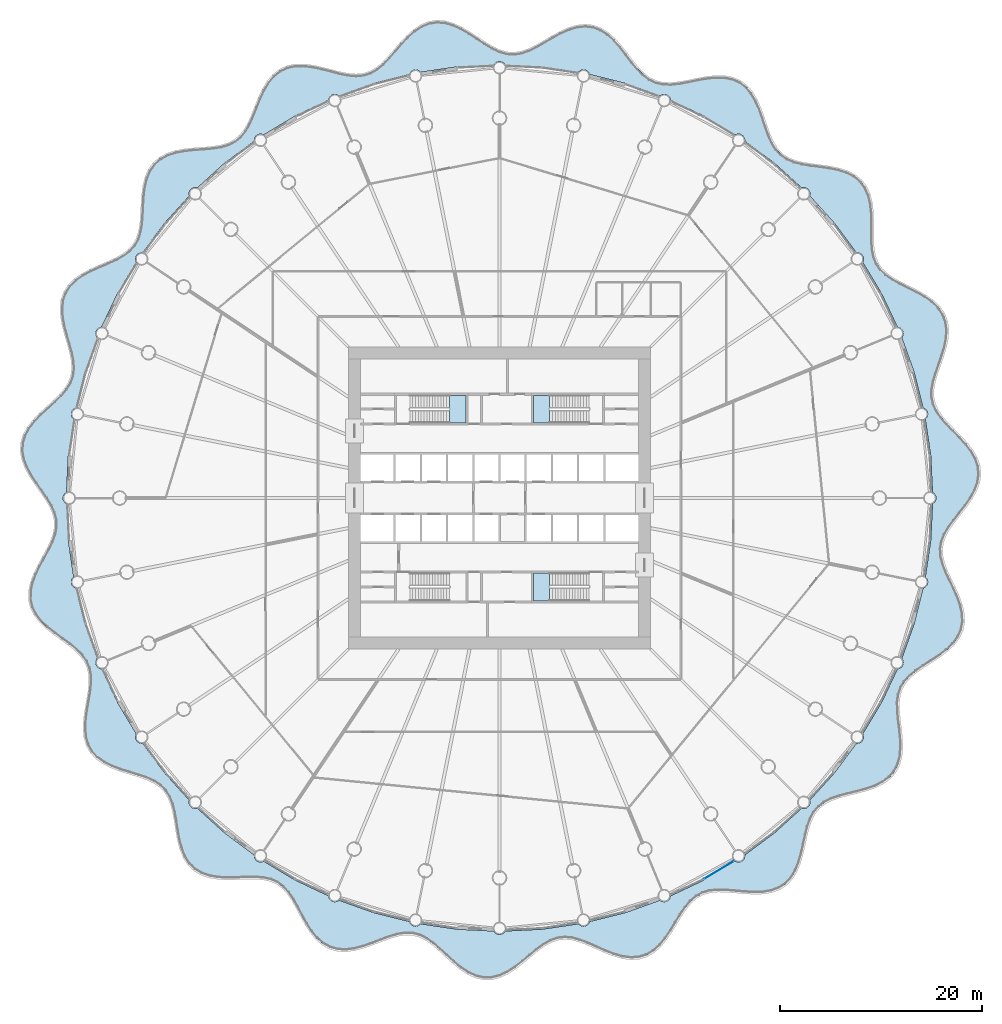
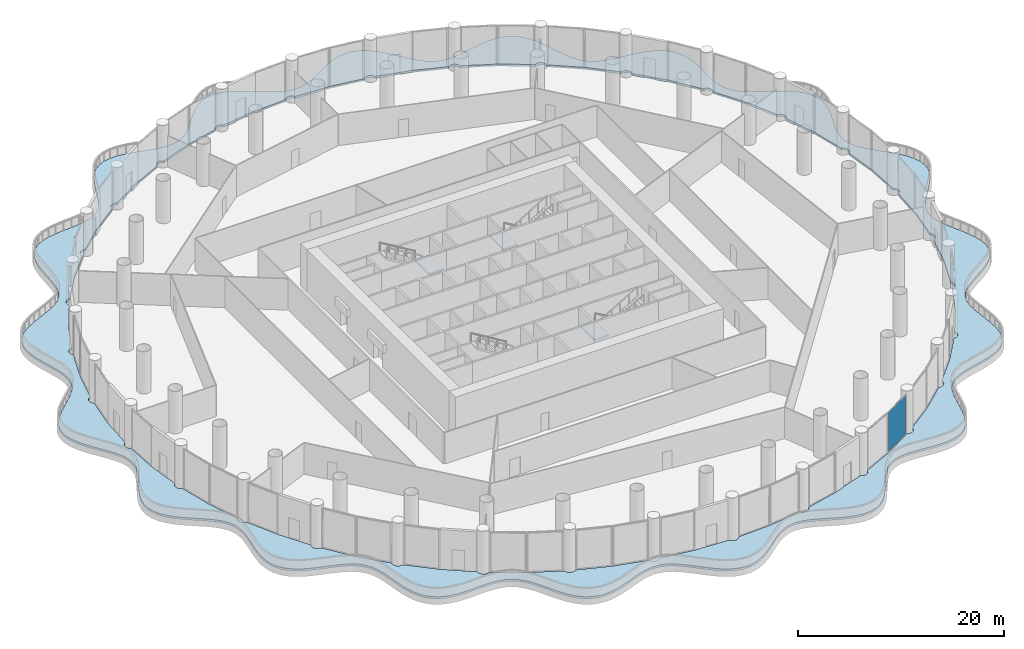
# One storey, part 21 of 38: 4 slabs, 1 plate, 4 elements without a shape of their own.
"""IFC4 building model written with IfcOpenShell, lengths in metres."""

from ifc_helpers import new_model, si_unit, direction, frame, origin, origin_2d, place, context, subcontext, project, spatial, polyline, rectangle, outline, extrude, material, layer, layer_set, type_object, element, aggregate, save


model = new_model("IFC4")

# Units and contexts
model_context = context("Model", 3, precision=1e-05, world=origin(), true_north=direction((0.0, 1.0)))
body_context = subcontext(model_context, "Body", "Model", "MODEL_VIEW")
ifc_project = project(units=[si_unit("LENGTHUNIT", "METRE"), si_unit("AREAUNIT", "SQUARE_METRE"), si_unit("VOLUMEUNIT", "CUBIC_METRE"), si_unit("PLANEANGLEUNIT", "RADIAN"), si_unit("MASSUNIT", "GRAM", prefix="KILO")], contexts=[model_context])

# Site, building, storey
site_placement = place(None, origin())
site = spatial("IfcSite", under=ifc_project, at=site_placement, CompositionType="ELEMENT")
building_placement = place(site_placement, origin())
building = spatial("IfcBuilding", under=site, at=building_placement, Name="Corvane Civic Tower", CompositionType="ELEMENT")
storey_placement = place(building_placement, frame((0.0, 0.0, 32.0)))
storey = spatial("IfcBuildingStorey", under=building, at=storey_placement, Name="L06", CompositionType="ELEMENT", Elevation=32.0)

# Curtain wall, plate
ifc_material_1 = material(Name="Aluminium and glass", Category="aluminium")
curtain_wall_type = type_object("IfcCurtainWallType", Name="PODIUM-CW-P-RUN", PredefinedType="NOTDEFINED", material=ifc_material_1)
curtain_wall_placement = place(storey_placement, origin())
curtain_wall = element("IfcCurtainWall", 1, at=curtain_wall_placement, inside=storey, type_object=curtain_wall_type, Name="PODI run L06-drum-14A", PredefinedType="NOTDEFINED")
ifc_material_2 = material(Name="Glass tinted low-e laminated", Category="glass")
ifc_layer_1 = layer(ifc_material_2, 0.031982421875)
ifc_layer_set_1 = layer_set([ifc_layer_1], Name="Glass tinted low-e laminated")
plate_type = type_object("IfcPlateType", Name="PODIUM-CWP-PANEL-IGU32", PredefinedType="CURTAIN_PANEL", material=ifc_layer_set_1)
plate_placement = place(storey_placement, frame((21.776123046875, -36.914794921875, 0.06005859375), z_axis=(0.0, 0.0, 1.0), x_axis=(-0.857719609779, -0.514117759857, 0.0)))
plate = element("IfcPlate", 2, at=plate_placement, type_object=plate_type, Name="CW-P panel 1.1", PredefinedType="CURTAIN_PANEL", context=body_context, shape_type="SweptSolid", body=[
    extrude(rectangle(XDim=3.459716796875, YDim=0.031982421875, at=origin_2d()), origin(), (0.0, 0.0, 1.0), 4.580078125),
])
aggregate(curtain_wall, [plate])

# Slab
ifc_material_3 = material(Name="Concrete C40/50", Category="concrete")
ifc_layer_2 = layer(ifc_material_3, 0.25)
ifc_layer_set_2 = layer_set([ifc_layer_2], Name="Concrete C40/50")
slab_type_1 = type_object("IfcSlabType", Name="PODIUM-SL-RIBBON-250", PredefinedType="FLOOR", material=ifc_layer_set_2)
slab_1_placement = place(storey_placement, frame((0.0, 0.0, -0.25)))
element("IfcSlab", 3, at=slab_1_placement, inside=storey, type_object=slab_type_1, Name="L06 ribbon balcony slab", PredefinedType="FLOOR", context=body_context, shape_type="SweptSolid", body=[
    extrude(outline(polyline([(0.72216796875, 44.134765625), (0.0, 44.341064453125), (-0.731201171875, 44.685302734375), (-1.4775390625, 45.133056640625), (-2.2421875, 45.63916015625), (-3.02490234375, 46.152099609375), (-3.822509765625, 46.617919921875), (-4.627685546875, 46.986328125), (-5.431640625, 47.2158203125), (-6.22412109375, 47.276611328125), (-6.994873046875, 47.155029296875), (-7.735595703125, 46.853271484375), (-8.44091796875, 46.39013671875), (-9.10986328125, 45.798828125), (-9.745849609375, 45.123779296875), (-10.356201171875, 44.415283203125), (-10.952880859375, 43.7265625), (-11.55029296875, 43.106689453125), (-12.1640625, 42.59619140625), (-12.80859375, 42.22412109375), (-13.496337890625, 42.00439453125), (-14.235107421875, 41.935302734375), (-15.027587890625, 41.9990234375), (-15.869384765625, 42.1640625), (-16.75048828125, 42.38818359375), (-17.655029296875, 42.623046875), (-18.562744140625, 42.819091796875), (-19.451171875, 42.929443359375), (-20.29736328125, 42.91552734375), (-21.081787109375, 42.749755859375), (-21.788818359375, 42.41943359375), (-22.409912109375, 41.926025390625), (-22.9443359375, 41.28662109375), (-23.39990234375, 40.530029296875), (-23.792724609375, 39.69580078125), (-24.145263671875, 38.82861328125), (-24.48486328125, 37.974853515625), (-24.84130859375, 37.177734375), (-25.2431640625, 36.47265625), (-25.714599609375, 35.884765625), (-26.27392578125, 35.42626953125), (-26.9296875, 35.095703125), (-27.680908203125, 34.877685546875), (-28.515625, 34.746337890625), (-29.412353515625, 34.66650390625), (-30.341552734375, 34.597900390625), (-31.268798828125, 34.499755859375), (-32.157470703125, 34.334228515625), (-32.972900390625, 34.070068359375), (-33.685546875, 33.685546875), (-34.27490234375, 33.171142578125), (-34.730224609375, 32.528564453125), (-35.054443359375, 31.771484375), (-35.26123046875, 30.92333984375), (-35.376953125, 30.01513671875), (-35.435546875, 29.081298828125), (-35.477783203125, 28.1572265625), (-35.545654296875, 27.275146484375), (-35.678466796875, 26.4609375), (-35.909423828125, 25.732421875), (-36.26220703125, 25.097412109375), (-36.747314453125, 24.5537109375), (-37.361572265625, 24.08935546875), (-38.088134765625, 23.6845703125), (-38.8974609375, 23.314208984375), (-39.75048828125, 22.949951171875), (-40.60205078125, 22.56396484375), (-41.40478515625, 22.13134765625), (-42.11474609375, 21.632568359375), (-42.695068359375, 21.054931640625), (-43.1201171875, 20.394287109375), (-43.377685546875, 19.654052734375), (-43.470947265625, 18.845458984375), (-43.41845703125, 17.984619140625), (-43.251708984375, 17.091796875), (-43.01318359375, 16.18896484375), (-42.75146484375, 15.296630859375), (-42.51708984375, 14.4326171875), (-42.357421875, 13.609619140625), (-42.3115234375, 12.8349609375), (-42.406982421875, 12.10986328125), (-42.656494140625, 11.4296875), (-43.056884765625, 10.78515625), (-43.5888671875, 10.16357421875), (-44.218994140625, 9.55029296875), (-44.902587890625, 8.931640625), (-45.5888671875, 8.295166015625), (-46.224853515625, 7.6318359375), (-46.760986328125, 6.936279296875), (-47.156005859375, 6.208251953125), (-47.381591796875, 5.45068359375), (-47.423583984375, 4.6708984375), (-47.28515625, 3.877197265625), (-46.986083984375, 3.07958984375), (-46.559814453125, 2.287353515625), (-46.0517578125, 1.507568359375), (-45.513916015625, 0.744873046875), (-45.0, 0.0), (-44.560302734375, -0.729248046875), (-44.23681640625, -1.4482421875), (-44.05859375, -2.16455078125), (-44.0400390625, -2.886474609375), (-44.178466796875, -3.622314453125), (-44.454345703125, -4.37841796875), (-44.834716796875, -5.15771484375), (-45.2744140625, -5.96044921875), (-45.721923828125, -6.7822265625), (-46.1240234375, -7.615234375), (-46.43115234375, -8.448486328125), (-46.601318359375, -9.26953125), (-46.60595703125, -10.06591796875), (-46.430419921875, -10.826171875), (-46.07763671875, -11.541748046875), (-45.5654296875, -12.209228515625), (-44.926513671875, -12.829345703125), (-44.2041015625, -13.4091796875), (-43.4482421875, -13.960205078125), (-42.710205078125, -14.498046875), (-42.038330078125, -15.04150390625), (-41.472412109375, -15.609130859375), (-41.040771484375, -16.218017578125), (-40.75732421875, -16.88232421875), (-40.6201171875, -17.609375), (-40.612060546875, -18.401123046875), (-40.70263671875, -19.2509765625), (-40.8515625, -20.145751953125), (-41.01171875, -21.06591796875), (-41.13525390625, -21.9873046875), (-41.17724609375, -22.8837890625), (-41.1005859375, -23.7294921875), (-40.87890625, -24.501953125), (-40.49951171875, -25.184326171875), (-39.964599609375, -25.767822265625), (-39.289794921875, -26.25244140625), (-38.5029296875, -26.6484375), (-37.641845703125, -26.973876953125), (-36.7490234375, -27.2548828125), (-35.868408203125, -27.522705078125), (-35.040771484375, -27.810302734375), (-34.299560546875, -28.14892578125), (-33.668701171875, -28.565673828125), (-33.158935546875, -29.07958984375), (-32.769287109375, -29.700439453125), (-32.485107421875, -30.42578125), (-32.281982421875, -31.242431640625), (-32.126708984375, -32.126708984375), (-31.982177734375, -33.04638671875), (-31.810302734375, -33.963623046875), (-31.575927734375, -34.8388671875), (-31.250732421875, -35.634765625), (-30.81494140625, -36.31982421875), (-30.260009765625, -36.871826171875), (-29.587890625, -37.2802734375), (-28.8115234375, -37.5478515625), (-27.952880859375, -37.68994140625), (-27.0400390625, -37.734375), (-26.10498046875, -37.7177734375), (-25.17919921875, -37.683349609375), (-24.291748046875, -37.67529296875), (-23.465576171875, -37.73583984375), (-22.71630859375, -37.89990234375), (-22.050048828125, -38.191650390625), (-21.464111328125, -38.622802734375), (-20.947509765625, -39.18994140625), (-20.48193359375, -39.875), (-20.045166015625, -40.6474609375), (-19.6123046875, -41.466552734375), (-19.158935546875, -42.28466796875), (-18.6640625, -43.052978515625), (-18.111572265625, -43.725341796875), (-17.491943359375, -44.263916015625), (-16.802001953125, -44.641845703125), (-16.04638671875, -44.846435546875), (-15.235107421875, -44.88134765625), (-14.38330078125, -44.76513671875), (-13.508056640625, -44.5302734375), (-12.6279296875, -44.220703125), (-11.75927734375, -43.885986328125), (-10.915771484375, -43.578369140625), (-10.10693359375, -43.345947265625), (-9.336669921875, -43.229248046875), (-8.604248046875, -43.25634765625), (-7.904296875, -43.440673828125), (-7.22802734375, -43.77880859375), (-6.56396484375, -44.251220703125), (-5.901123046875, -44.824462890625), (-5.22900390625, -45.453125), (-4.5390625, -46.085693359375), (-3.82666015625, -46.668701171875), (-3.090576171875, -47.152099609375), (-2.333251953125, -47.494140625), (-1.560302734375, -47.665771484375), (-0.77978515625, -47.653076171875), (0.0, -47.458740234375), (0.770751953125, -47.1025390625), (1.526123046875, -46.617919921875), (2.26220703125, -46.05029296875), (2.97900390625, -45.451416015625), (3.679443359375, -44.875), (4.3701171875, -44.37158203125), (5.059814453125, -43.982666015625), (5.75830078125, -43.738037109375), (6.47509765625, -43.6513671875), (7.21826171875, -43.720703125), (7.99267578125, -43.927001953125), (8.79931640625, -44.2373046875), (9.63427734375, -44.607421875), (10.489501953125, -44.986572265625), (11.3525390625, -45.322265625), (12.209228515625, -45.5654296875), (13.043212890625, -45.67529296875), (13.839599609375, -45.623046875), (14.585693359375, -45.394775390625), (15.27294921875, -44.99267578125), (15.89892578125, -44.434814453125), (16.46728515625, -43.752197265625), (16.9873046875, -42.987548828125), (17.475341796875, -42.18896484375), (17.950439453125, -41.406982421875), (18.435546875, -40.687744140625), (18.9521484375, -40.07080078125), (19.520263671875, -39.5830078125), (20.15478515625, -39.238037109375), (20.8642578125, -39.0341796875), (21.648681640625, -38.955078125), (22.5, -38.97119140625), (23.40185546875, -39.043701171875), (24.33154296875, -39.128173828125), (25.2607421875, -39.17822265625), (26.16015625, -39.1513671875), (27.000244140625, -39.01171875), (27.7568359375, -38.734619140625), (28.411376953125, -38.30810546875), (28.95458984375, -37.734130859375), (29.387451171875, -37.028076171875), (29.7216796875, -36.216064453125), (29.978271484375, -35.33349609375), (30.186279296875, -34.4208984375), (30.38037109375, -33.51953125), (30.59619140625, -32.667236328125), (30.86865234375, -31.895751953125), (31.226806640625, -31.226806640625), (31.69091796875, -30.67041015625), (32.271240234375, -30.225341796875), (32.965087890625, -29.877685546875), (33.757568359375, -29.6044921875), (34.623046875, -29.37548828125), (35.526611328125, -29.156005859375), (36.427734375, -28.9111328125), (37.2841796875, -28.609130859375), (38.05615234375, -28.224365234375), (38.709716796875, -27.739013671875), (39.221923828125, -27.14599609375), (39.581787109375, -26.447509765625), (39.791748046875, -25.65625), (39.86865234375, -24.7919921875), (39.842041015625, -23.88037109375), (39.75048828125, -22.949951171875), (39.639404296875, -22.029052734375), (39.555419921875, -21.142822265625), (39.542724609375, -20.311279296875), (39.6376953125, -19.547119140625), (39.8662109375, -18.855224609375), (40.23974609375, -18.232421875), (40.755126953125, -17.66796875), (41.393798828125, -17.145751953125), (42.123779296875, -16.646240234375), (42.903076171875, -16.1474609375), (43.68212890625, -15.629638671875), (44.4111328125, -15.075439453125), (45.0419921875, -14.47216796875), (45.53564453125, -13.81298828125), (45.864501953125, -13.09716796875), (46.015380859375, -12.329833984375), (45.991943359375, -11.520263671875), (45.81298828125, -10.68212890625), (45.51220703125, -9.82958984375), (45.133544921875, -8.9775390625), (44.728271484375, -8.138671875), (44.34912109375, -7.322021484375), (44.04541015625, -6.533447265625), (43.858642578125, -5.774169921875), (43.817138671875, -5.040771484375), (43.934326171875, -4.3271484375), (44.207763671875, -3.624755859375), (44.617431640625, -2.92431640625), (45.129638671875, -2.217041015625), (45.698974609375, -1.49609375), (46.27392578125, -0.75732421875), (46.800048828125, 0.0), (47.227294921875, 0.772705078125), (47.51416015625, 1.555419921875), (47.630859375, 2.33984375), (47.5634765625, 3.117431640625), (47.314697265625, 3.879638671875), (46.903564453125, 4.61962890625), (46.36376953125, 5.333740234375), (45.740234375, 6.021728515625), (45.08447265625, 6.687744140625), (44.44970703125, 7.338623046875), (43.885986328125, 7.9853515625), (43.434814453125, 8.6396484375), (43.125, 9.314208984375), (42.971435546875, 10.01953125), (42.97119140625, 10.763671875), (43.106689453125, 11.55029296875), (43.344970703125, 12.377685546875), (43.64306640625, 13.239013671875), (43.951171875, 14.121826171875), (44.218017578125, 15.010009765625), (44.3955078125, 15.885009765625), (44.44384765625, 16.7275390625), (44.334716796875, 17.519775390625), (44.054931640625, 18.248046875), (43.60595703125, 18.90380859375), (43.00537109375, 19.4853515625), (42.283447265625, 19.99853515625), (41.4814453125, 20.456298828125), (40.645751953125, 20.8779296875), (39.824951171875, 21.286865234375), (39.064208984375, 21.709228515625), (38.400634765625, 22.170654296875), (37.860595703125, 22.69287109375), (37.457275390625, 23.29248046875), (37.1884765625, 23.977783203125), (37.039306640625, 24.748779296875), (36.981201171875, 25.594970703125), (36.9775390625, 26.49755859375), (36.9853515625, 27.43017578125), (36.96142578125, 28.361572265625), (36.864990234375, 29.258056640625), (36.662841796875, 30.08837890625), (36.331298828125, 30.824951171875), (35.85986328125, 31.4482421875), (35.25, 31.94873046875), (34.516357421875, 32.328125), (33.683837890625, 32.59912109375), (32.78564453125, 32.78564453125), (31.859375, 32.91943359375), (30.943359375, 33.0380859375), (30.072998046875, 33.180419921875), (29.277099609375, 33.38427734375), (28.575439453125, 33.68017578125), (27.977294921875, 34.090576171875), (27.480712890625, 34.625244140625), (27.07275390625, 35.281982421875), (26.732421875, 36.04443359375), (26.431396484375, 36.885009765625), (26.138427734375, 37.766357421875), (25.822021484375, 38.6455078125), (25.453857421875, 39.477783203125), (25.010986328125, 40.220947265625), (24.478271484375, 40.839599609375), (23.85009765625, 41.309326171875), (23.12890625, 41.61865234375), (22.326904296875, 41.7705078125), (21.4619140625, 41.782470703125), (20.556884765625, 41.685302734375), (19.637451171875, 41.519775390625), (18.7275390625, 41.332763671875), (17.84912109375, 41.173095703125), (17.018798828125, 41.086669921875), (16.24609375, 41.111572265625), (15.53466796875, 41.2744140625), (14.880126953125, 41.587158203125), (14.27294921875, 42.046875), (13.69873046875, 42.63427734375), (13.139892578125, 43.31689453125), (12.579345703125, 44.05078125), (12.00048828125, 44.785888671875), (11.389892578125, 45.470703125), (10.73876953125, 46.055908203125), (10.04345703125, 46.501708984375), (9.30517578125, 46.77978515625), (8.529541015625, 46.87646484375), (7.725830078125, 46.795166015625), (6.90576171875, 46.55517578125), (6.0810546875, 46.190185546875), (5.2626953125, 45.745361328125), (4.458984375, 45.272216796875), (3.67529296875, 44.82421875), (2.91357421875, 44.451416015625), (2.171142578125, 44.1953125), (1.443115234375, 44.0849609375), (0.72216796875, 44.134765625)]), holes=[polyline([(0.31005859375, -43.23681640625), (0.160400390625, -43.298828125), (0.0, -43.320068359375), (-0.160400390625, -43.298828125), (-0.31005859375, -43.23681640625), (-0.4384765625, -43.138427734375), (-0.536865234375, -43.010009765625), (-0.55224609375, -42.972900390625), (-4.21484375, -42.79296875), (-7.84326171875, -42.2548828125), (-7.891845703125, -42.318115234375), (-8.020263671875, -42.41650390625), (-8.169921875, -42.478515625), (-8.330322265625, -42.49951171875), (-8.49072265625, -42.478515625), (-8.640380859375, -42.41650390625), (-8.768798828125, -42.318115234375), (-8.8671875, -42.189697265625), (-8.92919921875, -42.0400390625), (-8.929443359375, -42.038330078125), (-12.482177734375, -41.1484375), (-15.934814453125, -39.9130859375), (-16.030517578125, -39.986572265625), (-16.18017578125, -40.048583984375), (-16.340576171875, -40.069580078125), (-16.5009765625, -40.048583984375), (-16.650634765625, -39.986572265625), (-16.779052734375, -39.88818359375), (-16.87744140625, -39.759765625), (-16.939453125, -39.610107421875), (-16.955078125, -39.490478515625), (-20.27001953125, -37.922607421875), (-23.41162109375, -36.03955078125), (-23.412841796875, -36.04052734375), (-23.5625, -36.1025390625), (-23.722900390625, -36.123779296875), (-23.88330078125, -36.1025390625), (-24.032958984375, -36.04052734375), (-24.161376953125, -35.942138671875), (-24.259765625, -35.813720703125), (-24.32177734375, -35.6640625), (-24.343017578125, -35.503662109375), (-24.33251953125, -35.424560546875), (-27.27880859375, -33.239501953125), (-29.995849609375, -30.77685546875), (-30.032958984375, -30.792236328125), (-30.193359375, -30.8134765625), (-30.353759765625, -30.792236328125), (-30.50341796875, -30.730224609375), (-30.6318359375, -30.6318359375), (-30.730224609375, -30.50341796875), (-30.792236328125, -30.353759765625), (-30.8134765625, -30.193359375), (-30.792236328125, -30.032958984375), (-30.77685546875, -29.995849609375), (-33.239501953125, -27.27880859375), (-35.424560546875, -24.33251953125), (-35.503662109375, -24.343017578125), (-35.6640625, -24.32177734375), (-35.813720703125, -24.259765625), (-35.942138671875, -24.161376953125), (-36.04052734375, -24.032958984375), (-36.1025390625, -23.88330078125), (-36.123779296875, -23.722900390625), (-36.1025390625, -23.5625), (-36.04052734375, -23.412841796875), (-36.03955078125, -23.41162109375), (-37.922607421875, -20.27001953125), (-39.490478515625, -16.955078125), (-39.610107421875, -16.939453125), (-39.759765625, -16.87744140625), (-39.88818359375, -16.779052734375), (-39.986572265625, -16.650634765625), (-40.048583984375, -16.5009765625), (-40.069580078125, -16.340576171875), (-40.048583984375, -16.18017578125), (-39.986572265625, -16.030517578125), (-39.9130859375, -15.934814453125), (-41.1484375, -12.482177734375), (-42.038330078125, -8.929443359375), (-42.0400390625, -8.92919921875), (-42.189697265625, -8.8671875), (-42.318115234375, -8.768798828125), (-42.41650390625, -8.640380859375), (-42.478515625, -8.49072265625), (-42.49951171875, -8.330322265625), (-42.478515625, -8.169921875), (-42.41650390625, -8.020263671875), (-42.318115234375, -7.891845703125), (-42.2548828125, -7.84326171875), (-42.79296875, -4.21484375), (-42.972900390625, -0.55224609375), (-43.010009765625, -0.536865234375), (-43.138427734375, -0.4384765625), (-43.23681640625, -0.31005859375), (-43.298828125, -0.160400390625), (-43.320068359375, 0.0), (-43.298828125, 0.160400390625), (-43.23681640625, 0.31005859375), (-43.138427734375, 0.4384765625), (-43.010009765625, 0.536865234375), (-42.972900390625, 0.55224609375), (-42.79296875, 4.21484375), (-42.2548828125, 7.84326171875), (-42.318115234375, 7.891845703125), (-42.41650390625, 8.020263671875), (-42.478515625, 8.169921875), (-42.49951171875, 8.330322265625), (-42.478515625, 8.49072265625), (-42.41650390625, 8.640380859375), (-42.318115234375, 8.768798828125), (-42.189697265625, 8.8671875), (-42.0400390625, 8.92919921875), (-42.038330078125, 8.929443359375), (-41.1484375, 12.482177734375), (-39.9130859375, 15.934814453125), (-39.986572265625, 16.030517578125), (-40.048583984375, 16.18017578125), (-40.069580078125, 16.340576171875), (-40.048583984375, 16.5009765625), (-39.986572265625, 16.650634765625), (-39.88818359375, 16.779052734375), (-39.759765625, 16.87744140625), (-39.610107421875, 16.939453125), (-39.490478515625, 16.955078125), (-37.922607421875, 20.27001953125), (-36.03955078125, 23.41162109375), (-36.04052734375, 23.412841796875), (-36.1025390625, 23.5625), (-36.123779296875, 23.722900390625), (-36.1025390625, 23.88330078125), (-36.04052734375, 24.032958984375), (-35.942138671875, 24.161376953125), (-35.813720703125, 24.259765625), (-35.6640625, 24.32177734375), (-35.503662109375, 24.343017578125), (-35.424560546875, 24.33251953125), (-33.239501953125, 27.27880859375), (-30.77685546875, 29.995849609375), (-30.792236328125, 30.032958984375), (-30.8134765625, 30.193359375), (-30.792236328125, 30.353759765625), (-30.730224609375, 30.50341796875), (-30.6318359375, 30.6318359375), (-30.50341796875, 30.730224609375), (-30.353759765625, 30.792236328125), (-30.193359375, 30.8134765625), (-30.032958984375, 30.792236328125), (-29.995849609375, 30.77685546875), (-27.27880859375, 33.239501953125), (-24.33251953125, 35.424560546875), (-24.343017578125, 35.503662109375), (-24.32177734375, 35.6640625), (-24.259765625, 35.813720703125), (-24.161376953125, 35.942138671875), (-24.032958984375, 36.04052734375), (-23.88330078125, 36.1025390625), (-23.722900390625, 36.123779296875), (-23.5625, 36.1025390625), (-23.412841796875, 36.04052734375), (-23.41162109375, 36.03955078125), (-20.27001953125, 37.922607421875), (-16.955078125, 39.490478515625), (-16.939453125, 39.610107421875), (-16.87744140625, 39.759765625), (-16.779052734375, 39.88818359375), (-16.650634765625, 39.986572265625), (-16.5009765625, 40.048583984375), (-16.340576171875, 40.069580078125), (-16.18017578125, 40.048583984375), (-16.030517578125, 39.986572265625), (-15.934814453125, 39.9130859375), (-12.482177734375, 41.1484375), (-8.929443359375, 42.038330078125), (-8.92919921875, 42.0400390625), (-8.8671875, 42.189697265625), (-8.768798828125, 42.318115234375), (-8.640380859375, 42.41650390625), (-8.49072265625, 42.478515625), (-8.330322265625, 42.49951171875), (-8.169921875, 42.478515625), (-8.020263671875, 42.41650390625), (-7.891845703125, 42.318115234375), (-7.84326171875, 42.2548828125), (-4.21484375, 42.79296875), (-0.55224609375, 42.972900390625), (-0.536865234375, 43.010009765625), (-0.4384765625, 43.138427734375), (-0.31005859375, 43.23681640625), (-0.160400390625, 43.298828125), (0.0, 43.320068359375), (0.160400390625, 43.298828125), (0.31005859375, 43.23681640625), (0.4384765625, 43.138427734375), (0.536865234375, 43.010009765625), (0.55224609375, 42.972900390625), (4.21484375, 42.79296875), (7.84326171875, 42.2548828125), (7.891845703125, 42.318115234375), (8.020263671875, 42.41650390625), (8.169921875, 42.478515625), (8.330322265625, 42.49951171875), (8.49072265625, 42.478515625), (8.640380859375, 42.41650390625), (8.768798828125, 42.318115234375), (8.8671875, 42.189697265625), (8.92919921875, 42.0400390625), (8.929443359375, 42.038330078125), (12.482177734375, 41.1484375), (15.934814453125, 39.9130859375), (16.030517578125, 39.986572265625), (16.18017578125, 40.048583984375), (16.340576171875, 40.069580078125), (16.5009765625, 40.048583984375), (16.650634765625, 39.986572265625), (16.779052734375, 39.88818359375), (16.87744140625, 39.759765625), (16.939453125, 39.610107421875), (16.955078125, 39.490478515625), (20.27001953125, 37.922607421875), (23.41162109375, 36.03955078125), (23.412841796875, 36.04052734375), (23.5625, 36.1025390625), (23.722900390625, 36.123779296875), (23.88330078125, 36.1025390625), (24.032958984375, 36.04052734375), (24.161376953125, 35.942138671875), (24.259765625, 35.813720703125), (24.32177734375, 35.6640625), (24.343017578125, 35.503662109375), (24.33251953125, 35.424560546875), (27.27880859375, 33.239501953125), (29.995849609375, 30.77685546875), (30.032958984375, 30.792236328125), (30.193359375, 30.8134765625), (30.353759765625, 30.792236328125), (30.50341796875, 30.730224609375), (30.6318359375, 30.6318359375), (30.730224609375, 30.50341796875), (30.792236328125, 30.353759765625), (30.8134765625, 30.193359375), (30.792236328125, 30.032958984375), (30.77685546875, 29.995849609375), (33.239501953125, 27.27880859375), (35.424560546875, 24.33251953125), (35.503662109375, 24.343017578125), (35.6640625, 24.32177734375), (35.813720703125, 24.259765625), (35.942138671875, 24.161376953125), (36.04052734375, 24.032958984375), (36.1025390625, 23.88330078125), (36.123779296875, 23.722900390625), (36.1025390625, 23.5625), (36.04052734375, 23.412841796875), (36.03955078125, 23.41162109375), (37.922607421875, 20.27001953125), (39.490478515625, 16.955078125), (39.610107421875, 16.939453125), (39.759765625, 16.87744140625), (39.88818359375, 16.779052734375), (39.986572265625, 16.650634765625), (40.048583984375, 16.5009765625), (40.069580078125, 16.340576171875), (40.048583984375, 16.18017578125), (39.986572265625, 16.030517578125), (39.9130859375, 15.934814453125), (41.1484375, 12.482177734375), (42.038330078125, 8.929443359375), (42.0400390625, 8.92919921875), (42.189697265625, 8.8671875), (42.318115234375, 8.768798828125), (42.41650390625, 8.640380859375), (42.478515625, 8.49072265625), (42.49951171875, 8.330322265625), (42.478515625, 8.169921875), (42.41650390625, 8.020263671875), (42.318115234375, 7.891845703125), (42.2548828125, 7.84326171875), (42.79296875, 4.21484375), (42.972900390625, 0.55224609375), (43.010009765625, 0.536865234375), (43.138427734375, 0.4384765625), (43.23681640625, 0.31005859375), (43.298828125, 0.160400390625), (43.320068359375, 0.0), (43.298828125, -0.160400390625), (43.23681640625, -0.31005859375), (43.138427734375, -0.4384765625), (43.010009765625, -0.536865234375), (42.972900390625, -0.55224609375), (42.79296875, -4.21484375), (42.2548828125, -7.84326171875), (42.318115234375, -7.891845703125), (42.41650390625, -8.020263671875), (42.478515625, -8.169921875), (42.49951171875, -8.330322265625), (42.478515625, -8.49072265625), (42.41650390625, -8.640380859375), (42.318115234375, -8.768798828125), (42.189697265625, -8.8671875), (42.0400390625, -8.92919921875), (42.038330078125, -8.929443359375), (41.1484375, -12.482177734375), (39.9130859375, -15.934814453125), (39.986572265625, -16.030517578125), (40.048583984375, -16.18017578125), (40.069580078125, -16.340576171875), (40.048583984375, -16.5009765625), (39.986572265625, -16.650634765625), (39.88818359375, -16.779052734375), (39.759765625, -16.87744140625), (39.610107421875, -16.939453125), (39.490478515625, -16.955078125), (37.922607421875, -20.27001953125), (36.03955078125, -23.41162109375), (36.04052734375, -23.412841796875), (36.1025390625, -23.5625), (36.123779296875, -23.722900390625), (36.1025390625, -23.88330078125), (36.04052734375, -24.032958984375), (35.942138671875, -24.161376953125), (35.813720703125, -24.259765625), (35.6640625, -24.32177734375), (35.503662109375, -24.343017578125), (35.424560546875, -24.33251953125), (33.239501953125, -27.27880859375), (30.77685546875, -29.995849609375), (30.792236328125, -30.032958984375), (30.8134765625, -30.193359375), (30.792236328125, -30.353759765625), (30.730224609375, -30.50341796875), (30.6318359375, -30.6318359375), (30.50341796875, -30.730224609375), (30.353759765625, -30.792236328125), (30.193359375, -30.8134765625), (30.032958984375, -30.792236328125), (29.995849609375, -30.77685546875), (27.27880859375, -33.239501953125), (24.33251953125, -35.424560546875), (24.343017578125, -35.503662109375), (24.32177734375, -35.6640625), (24.259765625, -35.813720703125), (24.161376953125, -35.942138671875), (24.032958984375, -36.04052734375), (23.88330078125, -36.1025390625), (23.722900390625, -36.123779296875), (23.5625, -36.1025390625), (23.412841796875, -36.04052734375), (23.41162109375, -36.03955078125), (20.27001953125, -37.922607421875), (16.955078125, -39.490478515625), (16.939453125, -39.610107421875), (16.87744140625, -39.759765625), (16.779052734375, -39.88818359375), (16.650634765625, -39.986572265625), (16.5009765625, -40.048583984375), (16.340576171875, -40.069580078125), (16.18017578125, -40.048583984375), (16.030517578125, -39.986572265625), (15.934814453125, -39.9130859375), (12.482177734375, -41.1484375), (8.929443359375, -42.038330078125), (8.92919921875, -42.0400390625), (8.8671875, -42.189697265625), (8.768798828125, -42.318115234375), (8.640380859375, -42.41650390625), (8.49072265625, -42.478515625), (8.330322265625, -42.49951171875), (8.169921875, -42.478515625), (8.020263671875, -42.41650390625), (7.891845703125, -42.318115234375), (7.84326171875, -42.2548828125), (4.21484375, -42.79296875), (0.55224609375, -42.972900390625), (0.536865234375, -43.010009765625), (0.4384765625, -43.138427734375), (0.31005859375, -43.23681640625)])]), origin(), (0.0, 0.0, 1.0), 0.25),
])

# Stair, slab
ifc_material_4 = material(Name="Concrete C40/50", Category="concrete")
stair_type = type_object("IfcStairType", Name="ST-STAIR-HALFTURN", PredefinedType="HALF_TURN_STAIR", material=ifc_material_4)
stair_1_placement = place(storey_placement, origin())
stair_1 = element("IfcStair", 4, at=stair_1_placement, inside=storey, type_object=stair_type, Name="L06 Exit stair ST1", PredefinedType="HALF_TURN_STAIR")
ifc_material_5 = material(Name="Concrete C40/50", Category="concrete")
ifc_layer_3 = layer(ifc_material_5, 0.199951171875)
ifc_layer_set_3 = layer_set([ifc_layer_3], Name="Concrete C40/50")
slab_type_2 = type_object("IfcSlabType", Name="ST-LANDING-RC", PredefinedType="LANDING", material=ifc_layer_set_3)
slab_2_placement = place(storey_placement, frame((0.0, 0.0, 2.300048828125)))
slab_2 = element("IfcSlab", 5, at=slab_2_placement, type_object=slab_type_2, Name="ST1 landing 1", PredefinedType="LANDING", context=body_context, shape_type="SweptSolid", body=[
    extrude(outline(polyline([(4.97998046875, 10.199951171875), (3.35009765625, 10.199951171875), (3.35009765625, 7.449951171875), (4.97998046875, 7.449951171875), (4.97998046875, 10.199951171875)])), origin(), (0.0, 0.0, 1.0), 0.199951171875),
])
aggregate(stair_1, [slab_2])

stair_2_placement = place(storey_placement, origin())
stair_2 = element("IfcStair", 6, at=stair_2_placement, inside=storey, type_object=stair_type, Name="L06 Exit stair ST2", PredefinedType="HALF_TURN_STAIR")
slab_3_placement = place(storey_placement, frame((0.0, 0.0, 2.300048828125)))
slab_3 = element("IfcSlab", 7, at=slab_3_placement, type_object=slab_type_2, Name="ST2 landing 1", PredefinedType="LANDING", context=body_context, shape_type="SweptSolid", body=[
    extrude(outline(polyline([(4.97998046875, -7.449951171875), (3.35009765625, -7.449951171875), (3.35009765625, -10.199951171875), (4.97998046875, -10.199951171875), (4.97998046875, -7.449951171875)])), origin(), (0.0, 0.0, 1.0), 0.199951171875),
])
aggregate(stair_2, [slab_3])

stair_3_placement = place(storey_placement, origin())
stair_3 = element("IfcStair", 8, at=stair_3_placement, inside=storey, type_object=stair_type, Name="L06 Exit stair ST4", PredefinedType="HALF_TURN_STAIR")
slab_4_placement = place(storey_placement, frame((0.0, 0.0, 2.300048828125)))
slab_4 = element("IfcSlab", 9, at=slab_4_placement, type_object=slab_type_2, Name="ST4 landing 1", PredefinedType="LANDING", context=body_context, shape_type="SweptSolid", body=[
    extrude(outline(polyline([(-4.97998046875, 7.449951171875), (-3.35009765625, 7.449951171875), (-3.35009765625, 10.199951171875), (-4.97998046875, 10.199951171875), (-4.97998046875, 7.449951171875)])), origin(), (0.0, 0.0, 1.0), 0.199951171875),
])
aggregate(stair_3, [slab_4])

save(model, "model.ifc")
